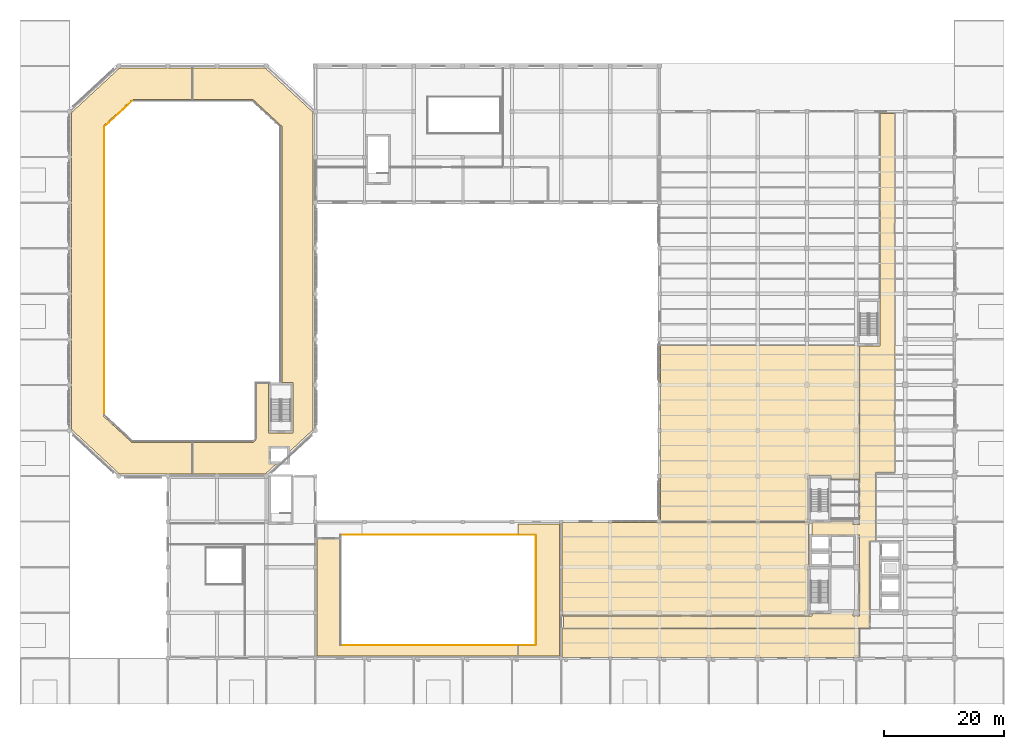
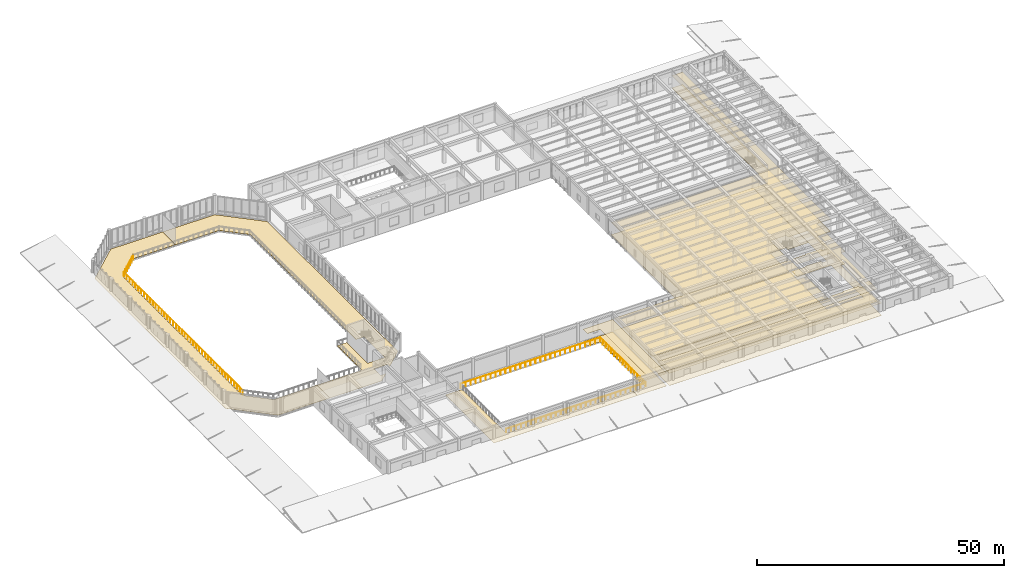
# One storey, part 52 of 57: 13 coverings, 5 railings.
"""IFC4 building model written with IfcOpenShell, lengths in metres."""

from ifc_helpers import new_model, si_unit, direction, frame, origin, origin_2d, place, context, subcontext, project, spatial, polyline, circle, outline, extrude, material, layer, layer_set, type_object, element, save


model = new_model("IFC4")

# Units and contexts
model_context = context("Model", 3, precision=1e-05, world=origin(), true_north=direction((0.0, 1.0)))
body_context = subcontext(model_context, "Body", "Model", "MODEL_VIEW")
ifc_project = project(units=[si_unit("LENGTHUNIT", "METRE"), si_unit("AREAUNIT", "SQUARE_METRE"), si_unit("VOLUMEUNIT", "CUBIC_METRE"), si_unit("PLANEANGLEUNIT", "RADIAN"), si_unit("MASSUNIT", "GRAM", prefix="KILO")], contexts=[model_context])

# Site, building, storey
site_placement = place(None, origin())
site = spatial("IfcSite", under=ifc_project, at=site_placement, CompositionType="ELEMENT")
building_placement = place(site_placement, origin())
building = spatial("IfcBuilding", under=site, at=building_placement, Name="Qandaris Square Conservatory and Botanical Centre", CompositionType="ELEMENT")
storey_placement = place(building_placement, frame((0.0, 0.0, 5.39990234375)))
storey = spatial("IfcBuildingStorey", under=building, at=storey_placement, Name="L01", CompositionType="ELEMENT", Elevation=5.39990234375)

# Covering
ifc_material_1 = material(Name="Engineered Oak Timber", Category="wood")
ifc_layer_1 = layer(ifc_material_1, 0.02490234375)
ifc_layer_set_1 = layer_set([ifc_layer_1], Name="Engineered Oak Timber")
covering_type_1 = type_object("IfcCoveringType", Name="Acoustic Timber Auditorium Flooring", PredefinedType="FLOORING", material=ifc_layer_set_1)
covering_1_placement = place(storey_placement, origin())
element("IfcCovering", 1, at=covering_1_placement, inside=storey, type_object=covering_type_1, Name="Auditorium Upper Gallery Flooring", PredefinedType="FLOORING", context=body_context, shape_type="SweptSolid", body=[
    extrude(outline(polyline([(91.0, 18.800048828125), (91.0, 17.0), (57.5, 17.0), (57.5, 36.60009765625), (61.39990234375, 36.60009765625), (61.39990234375, 18.800048828125), (91.0, 18.800048828125)])), origin(), (0.0, 0.0, 1.0), 0.025146484375),
])

# Railings
ifc_material_2 = material(Name="Tempered Low-E Glass", Category="glass")
railing_type_1 = type_object("IfcRailingType", Name="Conservatory Skywalk Glazed Balustrade 1150mm", PredefinedType="BALUSTRADE", material=ifc_material_2)
railing_1_placement = place(storey_placement, frame((22.0, 57.13232421875, 0.0)))
element("IfcRailing", 2, at=railing_1_placement, inside=storey, type_object=railing_type_1, Name="Conservatory Skywalk Balustrade 2.1", PredefinedType="BALUSTRADE", context=body_context, shape_type="SweptSolid", body=[
    extrude(circle(Radius=0.02392578125, at=origin_2d()), frame((0.0, 0.0, 1.1259765625), z_axis=(0.0, 1.0, 0.0), x_axis=(-1.0, 0.0, 0.0)), (0.0, 0.0, 1.0), 48.13525390625),
    extrude(circle(Radius=0.02099609375, at=origin_2d()), origin(), (0.0, 0.0, 1.0), 1.101806640625),
    extrude(circle(Radius=0.02099609375, at=origin_2d()), frame((0.0, 1.174072265625, 0.0)), (0.0, 0.0, 1.0), 1.101806640625),
    extrude(circle(Radius=0.02099609375, at=origin_2d()), frame((0.0, 2.34814453125, 0.0)), (0.0, 0.0, 1.0), 1.101806640625),
    extrude(circle(Radius=0.02099609375, at=origin_2d()), frame((0.0, 3.52197265625, 0.0)), (0.0, 0.0, 1.0), 1.101806640625),
    extrude(circle(Radius=0.02099609375, at=origin_2d()), frame((0.0, 4.696044921875, 0.0)), (0.0, 0.0, 1.0), 1.101806640625),
    extrude(circle(Radius=0.02099609375, at=origin_2d()), frame((0.0, 5.8701171875, 0.0)), (0.0, 0.0, 1.0), 1.101806640625),
    extrude(circle(Radius=0.02099609375, at=origin_2d()), frame((0.0, 7.044189453125, 0.0)), (0.0, 0.0, 1.0), 1.101806640625),
    extrude(circle(Radius=0.02099609375, at=origin_2d()), frame((0.0, 8.21826171875, 0.0)), (0.0, 0.0, 1.0), 1.101806640625),
    extrude(circle(Radius=0.02099609375, at=origin_2d()), frame((0.0, 9.392333984375, 0.0)), (0.0, 0.0, 1.0), 1.101806640625),
    extrude(circle(Radius=0.02099609375, at=origin_2d()), frame((0.0, 10.566162109375, 0.0)), (0.0, 0.0, 1.0), 1.101806640625),
    extrude(circle(Radius=0.02099609375, at=origin_2d()), frame((0.0, 11.740234375, 0.0)), (0.0, 0.0, 1.0), 1.101806640625),
    extrude(circle(Radius=0.02099609375, at=origin_2d()), frame((0.0, 12.914306640625, 0.0)), (0.0, 0.0, 1.0), 1.101806640625),
    extrude(circle(Radius=0.02099609375, at=origin_2d()), frame((0.0, 14.08837890625, 0.0)), (0.0, 0.0, 1.0), 1.101806640625),
    extrude(circle(Radius=0.02099609375, at=origin_2d()), frame((0.0, 15.262451171875, 0.0)), (0.0, 0.0, 1.0), 1.101806640625),
    extrude(circle(Radius=0.02099609375, at=origin_2d()), frame((0.0, 16.4365234375, 0.0)), (0.0, 0.0, 1.0), 1.101806640625),
    extrude(circle(Radius=0.02099609375, at=origin_2d()), frame((0.0, 17.6103515625, 0.0)), (0.0, 0.0, 1.0), 1.101806640625),
    extrude(circle(Radius=0.02099609375, at=origin_2d()), frame((0.0, 18.784423828125, 0.0)), (0.0, 0.0, 1.0), 1.101806640625),
    extrude(circle(Radius=0.02099609375, at=origin_2d()), frame((0.0, 19.95849609375, 0.0)), (0.0, 0.0, 1.0), 1.101806640625),
    extrude(circle(Radius=0.02099609375, at=origin_2d()), frame((0.0, 21.132568359375, 0.0)), (0.0, 0.0, 1.0), 1.101806640625),
    extrude(circle(Radius=0.02099609375, at=origin_2d()), frame((0.0, 22.306640625, 0.0)), (0.0, 0.0, 1.0), 1.101806640625),
    extrude(circle(Radius=0.02099609375, at=origin_2d()), frame((0.0, 23.480712890625, 0.0)), (0.0, 0.0, 1.0), 1.101806640625),
    extrude(circle(Radius=0.02099609375, at=origin_2d()), frame((0.0, 24.654541015625, 0.0)), (0.0, 0.0, 1.0), 1.101806640625),
    extrude(circle(Radius=0.02099609375, at=origin_2d()), frame((0.0, 25.82861328125, 0.0)), (0.0, 0.0, 1.0), 1.101806640625),
    extrude(circle(Radius=0.02099609375, at=origin_2d()), frame((0.0, 27.002685546875, 0.0)), (0.0, 0.0, 1.0), 1.101806640625),
    extrude(circle(Radius=0.02099609375, at=origin_2d()), frame((0.0, 28.1767578125, 0.0)), (0.0, 0.0, 1.0), 1.101806640625),
    extrude(circle(Radius=0.02099609375, at=origin_2d()), frame((0.0, 29.350830078125, 0.0)), (0.0, 0.0, 1.0), 1.101806640625),
    extrude(circle(Radius=0.02099609375, at=origin_2d()), frame((0.0, 30.52490234375, 0.0)), (0.0, 0.0, 1.0), 1.101806640625),
    extrude(circle(Radius=0.02099609375, at=origin_2d()), frame((0.0, 31.69873046875, 0.0)), (0.0, 0.0, 1.0), 1.101806640625),
    extrude(circle(Radius=0.02099609375, at=origin_2d()), frame((0.0, 32.872802734375, 0.0)), (0.0, 0.0, 1.0), 1.101806640625),
    extrude(circle(Radius=0.02099609375, at=origin_2d()), frame((0.0, 34.046875, 0.0)), (0.0, 0.0, 1.0), 1.101806640625),
    extrude(circle(Radius=0.02099609375, at=origin_2d()), frame((0.0, 35.220947265625, 0.0)), (0.0, 0.0, 1.0), 1.101806640625),
    extrude(circle(Radius=0.02099609375, at=origin_2d()), frame((0.0, 36.39501953125, 0.0)), (0.0, 0.0, 1.0), 1.101806640625),
    extrude(circle(Radius=0.02099609375, at=origin_2d()), frame((0.0, 37.569091796875, 0.0)), (0.0, 0.0, 1.0), 1.101806640625),
    extrude(circle(Radius=0.02099609375, at=origin_2d()), frame((0.0, 38.742919921875, 0.0)), (0.0, 0.0, 1.0), 1.101806640625),
    extrude(circle(Radius=0.02099609375, at=origin_2d()), frame((0.0, 39.9169921875, 0.0)), (0.0, 0.0, 1.0), 1.101806640625),
    extrude(circle(Radius=0.02099609375, at=origin_2d()), frame((0.0, 41.091064453125, 0.0)), (0.0, 0.0, 1.0), 1.101806640625),
    extrude(circle(Radius=0.02099609375, at=origin_2d()), frame((0.0, 42.26513671875, 0.0)), (0.0, 0.0, 1.0), 1.101806640625),
    extrude(circle(Radius=0.02099609375, at=origin_2d()), frame((0.0, 43.439208984375, 0.0)), (0.0, 0.0, 1.0), 1.101806640625),
    extrude(circle(Radius=0.02099609375, at=origin_2d()), frame((0.0, 44.61328125, 0.0)), (0.0, 0.0, 1.0), 1.101806640625),
    extrude(circle(Radius=0.02099609375, at=origin_2d()), frame((0.0, 45.787109375, 0.0)), (0.0, 0.0, 1.0), 1.101806640625),
    extrude(circle(Radius=0.02099609375, at=origin_2d()), frame((0.0, 46.961181640625, 0.0)), (0.0, 0.0, 1.0), 1.101806640625),
    extrude(circle(Radius=0.02099609375, at=origin_2d()), frame((0.0, 48.13525390625, 0.0)), (0.0, 0.0, 1.0), 1.101806640625),
])
railing_2_placement = place(storey_placement, frame((22.0, 105.267578125, 0.0)))
element("IfcRailing", 3, at=railing_2_placement, inside=storey, type_object=railing_type_1, Name="Conservatory Skywalk Balustrade 3.1", PredefinedType="BALUSTRADE", context=body_context, shape_type="SweptSolid", body=[
    extrude(circle(Radius=0.02392578125, at=origin_2d()), frame((0.0, 0.0, 1.1259765625), z_axis=(0.73343029662, 0.67976466516, 0.0), x_axis=(-0.67976466516, 0.73343029662, 0.0)), (0.0, 0.0, 1.0), 6.37353515625),
    extrude(circle(Radius=0.02099609375, at=origin_2d()), origin(), (0.0, 0.0, 1.0), 1.101806640625),
    extrude(circle(Radius=0.02099609375, at=origin_2d()), frame((0.779052734375, 0.72216796875, 0.0)), (0.0, 0.0, 1.0), 1.101806640625),
    extrude(circle(Radius=0.02099609375, at=origin_2d()), frame((1.55810546875, 1.444091796875, 0.0)), (0.0, 0.0, 1.0), 1.101806640625),
    extrude(circle(Radius=0.02099609375, at=origin_2d()), frame((2.33740234375, 2.166259765625, 0.0)), (0.0, 0.0, 1.0), 1.101806640625),
    extrude(circle(Radius=0.02099609375, at=origin_2d()), frame((3.116455078125, 2.888427734375, 0.0)), (0.0, 0.0, 1.0), 1.101806640625),
    extrude(circle(Radius=0.02099609375, at=origin_2d()), frame((3.8955078125, 3.6103515625, 0.0)), (0.0, 0.0, 1.0), 1.101806640625),
    extrude(circle(Radius=0.02099609375, at=origin_2d()), frame((4.674560546875, 4.33251953125, 0.0)), (0.0, 0.0, 1.0), 1.101806640625),
])

# Coverings
ifc_material_3 = material(Name="Honed Qatari Limestone", Category="masonry")
ifc_layer_2 = layer(ifc_material_3, 0.030029296875)
ifc_layer_set_2 = layer_set([ifc_layer_2], Name="Honed Qatari Limestone")
covering_type_2 = type_object("IfcCoveringType", Name="Honed Qatari Limestone Concourse Paving", PredefinedType="FLOORING", material=ifc_layer_set_2)
covering_2_placement = place(storey_placement, origin())
element("IfcCovering", 4, at=covering_2_placement, inside=storey, type_object=covering_type_2, Name="Main Circulation Corridor L01 Flooring", PredefinedType="FLOORING", context=body_context, shape_type="SweptSolid", body=[
    extrude(outline(polyline([(140.0, 24.10009765625), (143.199951171875, 24.10009765625), (143.199951171875, 24.280029296875), (146.85009765625, 24.280029296875), (146.85009765625, 23.699951171875), (147.949951171875, 23.699951171875), (147.949951171875, 24.75), (147.949951171875, 31.75), (147.949951171875, 36.199951171875), (147.949951171875, 37.199951171875), (140.0, 37.199951171875), (140.0, 38.89990234375), (140.0, 39.300048828125), (143.199951171875, 39.300048828125), (143.199951171875, 39.47998046875), (146.85009765625, 39.47998046875), (146.85009765625, 38.89990234375), (147.949951171875, 38.89990234375), (147.949951171875, 39.89990234375), (147.949951171875, 42.1201171875), (147.949951171875, 44.340087890625), (147.949951171875, 46.419921875), (147.949951171875, 66.5), (147.949951171875, 68.699951171875), (151.39990234375, 68.699951171875), (151.39990234375, 76.5), (151.35009765625, 76.5), (151.35009765625, 107.5), (153.85009765625, 107.5), (153.85009765625, 68.85009765625), (153.85009765625, 66.5), (153.85009765625, 47.60009765625), (150.64990234375, 47.60009765625), (150.64990234375, 36.199951171875), (149.699951171875, 36.199951171875), (149.699951171875, 36.050048828125), (149.699951171875, 24.75), (149.699951171875, 23.699951171875), (149.699951171875, 21.550048828125), (147.949951171875, 21.550048828125), (98.60009765625, 21.550048828125), (98.60009765625, 23.699951171875), (140.0, 23.699951171875), (140.0, 24.10009765625)])), origin(), (0.0, 0.0, 1.0), 0.030029296875),
])
covering_3_placement = place(storey_placement, origin())
element("IfcCovering", 5, at=covering_3_placement, inside=storey, type_object=covering_type_2, Name="Visitor Centre Interactive Ecology Gallery Flooring", PredefinedType="FLOORING", context=body_context, shape_type="SweptSolid", body=[
    extrude(outline(polyline([(98.60009765625, 21.550048828125), (147.949951171875, 21.550048828125), (147.949951171875, 16.780029296875), (98.3798828125, 16.780029296875), (98.3798828125, 21.550048828125), (98.60009765625, 21.550048828125)])), origin(), (0.0, 0.0, 1.0), 0.030029296875),
])
covering_4_placement = place(storey_placement, origin())
element("IfcCovering", 6, at=covering_4_placement, inside=storey, type_object=covering_type_2, Name="Botanical Illustration Studio Flooring", PredefinedType="FLOORING", context=body_context, shape_type="SweptSolid", body=[
    extrude(outline(polyline([(114.635009765625, 39.223388671875), (114.65234375, 39.227783203125), (114.6689453125, 39.233642578125), (114.684814453125, 39.2412109375), (114.699462890625, 39.25), (139.5, 39.25), (139.5, 31.89990234375), (139.39990234375, 31.89990234375), (139.39990234375, 24.10009765625), (139.5, 24.10009765625), (139.5, 23.699951171875), (98.60009765625, 23.699951171875), (98.3798828125, 23.699951171875), (98.3798828125, 39.219970703125), (114.60009765625, 39.219970703125), (114.61767578125, 39.220947265625), (114.635009765625, 39.223388671875)])), origin(), (0.0, 0.0, 1.0), 0.030029296875),
])
covering_5_placement = place(storey_placement, origin())
element("IfcCovering", 7, at=covering_5_placement, inside=storey, type_object=covering_type_2, Name="Conservatory Canopy Skywalk Gallery East Flooring", PredefinedType="FLOORING", context=body_context, shape_type="SweptSolid", body=[
    extrude(outline(polyline([(36.699951171875, 52.60009765625), (46.803955078125, 52.60009765625), (47.199951171875, 52.967041015625), (47.199951171875, 62.60009765625), (49.39990234375, 62.60009765625), (49.39990234375, 54.199951171875), (53.5, 54.199951171875), (53.5, 62.60009765625), (51.60009765625, 62.60009765625), (51.60009765625, 105.35498046875), (46.803955078125, 109.800048828125), (36.699951171875, 109.800048828125), (36.699951171875, 115.050048828125), (48.86279296875, 115.050048828125), (56.85009765625, 107.647216796875), (56.85009765625, 62.60009765625), (56.85009765625, 54.752685546875), (52.739990234375, 50.943603515625), (52.739990234375, 51.840087890625), (49.56005859375, 51.840087890625), (49.56005859375, 49.159912109375), (50.815673828125, 49.159912109375), (48.86279296875, 47.35009765625), (47.199951171875, 47.35009765625), (36.699951171875, 47.35009765625), (36.699951171875, 52.60009765625)])), origin(), (0.0, 0.0, 1.0), 0.030029296875),
])
covering_6_placement = place(storey_placement, origin())
element("IfcCovering", 8, at=covering_6_placement, inside=storey, type_object=covering_type_2, Name="Conservatory Canopy Skywalk Gallery West Flooring", PredefinedType="FLOORING", context=body_context, shape_type="SweptSolid", body=[
    extrude(outline(polyline([(16.550048828125, 107.647216796875), (24.537353515625, 115.050048828125), (36.699951171875, 115.050048828125), (36.699951171875, 109.800048828125), (26.595947265625, 109.800048828125), (21.800048828125, 105.35498046875), (21.800048828125, 57.045166015625), (26.595947265625, 52.60009765625), (36.699951171875, 52.60009765625), (36.699951171875, 47.35009765625), (24.537353515625, 47.35009765625), (16.550048828125, 54.752685546875), (16.550048828125, 107.647216796875)])), origin(), (0.0, 0.0, 1.0), 0.030029296875),
])
ifc_material_4 = material(Name="Gypsum Plasterboard", Category="gypsum")
ifc_layer_3 = layer(ifc_material_4, 0.02490234375)
ifc_layer_set_3 = layer_set([ifc_layer_3], Name="Gypsum Plasterboard")
covering_type_3 = type_object("IfcCoveringType", Name="Perforated Acoustic Lab Ceiling Tile", PredefinedType="CEILING", material=ifc_layer_set_3)
covering_7_placement = place(storey_placement, frame((0.0, 0.0, 3.050048828125)))
element("IfcCovering", 9, at=covering_7_placement, inside=storey, type_object=covering_type_3, Name="Main Circulation Corridor L01 Ceiling", PredefinedType="CEILING", context=body_context, shape_type="SweptSolid", body=[
    extrude(outline(polyline([(140.0, 24.10009765625), (143.199951171875, 24.10009765625), (143.199951171875, 24.280029296875), (146.85009765625, 24.280029296875), (146.85009765625, 23.699951171875), (147.949951171875, 23.699951171875), (147.949951171875, 24.75), (147.949951171875, 31.75), (147.949951171875, 36.199951171875), (147.949951171875, 37.199951171875), (140.0, 37.199951171875), (140.0, 38.89990234375), (140.0, 39.300048828125), (143.199951171875, 39.300048828125), (143.199951171875, 39.47998046875), (146.85009765625, 39.47998046875), (146.85009765625, 38.89990234375), (147.949951171875, 38.89990234375), (147.949951171875, 39.89990234375), (147.949951171875, 42.1201171875), (147.949951171875, 44.340087890625), (147.949951171875, 46.419921875), (147.949951171875, 66.5), (147.949951171875, 68.699951171875), (151.39990234375, 68.699951171875), (151.39990234375, 76.5), (151.35009765625, 76.5), (151.35009765625, 107.5), (153.85009765625, 107.5), (153.85009765625, 68.85009765625), (153.85009765625, 66.5), (153.85009765625, 47.60009765625), (150.64990234375, 47.60009765625), (150.64990234375, 36.199951171875), (149.699951171875, 36.199951171875), (149.699951171875, 36.050048828125), (149.699951171875, 24.75), (149.699951171875, 23.699951171875), (149.699951171875, 21.550048828125), (147.949951171875, 21.550048828125), (98.60009765625, 21.550048828125), (98.60009765625, 23.699951171875), (140.0, 23.699951171875), (140.0, 24.10009765625)])), origin(), (0.0, 0.0, 1.0), 0.025146484375),
])
covering_8_placement = place(storey_placement, frame((0.0, 0.0, 3.050048828125)))
element("IfcCovering", 10, at=covering_8_placement, inside=storey, type_object=covering_type_3, Name="Herbarium Specimen Mounting Studio Ceiling", PredefinedType="CEILING", context=body_context, shape_type="SweptSolid", body=[
    extrude(outline(polyline([(147.949951171875, 66.5), (147.949951171875, 46.419921875), (143.199951171875, 46.419921875), (143.199951171875, 47.10009765625), (139.39990234375, 47.10009765625), (139.39990234375, 39.39990234375), (114.780029296875, 39.39990234375), (114.780029296875, 68.800048828125), (147.60009765625, 68.800048828125), (147.60009765625, 68.699951171875), (147.949951171875, 68.699951171875), (147.949951171875, 66.5)])), origin(), (0.0, 0.0, 1.0), 0.025146484375),
])
covering_9_placement = place(storey_placement, frame((0.0, 0.0, 3.050048828125)))
element("IfcCovering", 11, at=covering_9_placement, inside=storey, type_object=covering_type_3, Name="Projection and Simultaneous Interpretation Suite Ceiling", PredefinedType="CEILING", context=body_context, shape_type="SweptSolid", body=[
    extrude(outline(polyline([(91.0, 17.0), (91.0, 18.800048828125), (94.0, 18.800048828125), (94.0, 37.199951171875), (91.0, 37.199951171875), (91.0, 39.0), (97.89990234375, 39.0), (97.89990234375, 17.0), (91.0, 17.0)])), origin(), (0.0, 0.0, 1.0), 0.025146484375),
])
ifc_material_5 = material(Name="Epoxy Resin Screed", Category="finish")
ifc_layer_4 = layer(ifc_material_5, 0.014892578125)
ifc_layer_set_4 = layer_set([ifc_layer_4], Name="Epoxy Resin Screed")
covering_type_4 = type_object("IfcCoveringType", Name="Seamless Epoxy Laboratory Flooring", PredefinedType="FLOORING", material=ifc_layer_set_4)
covering_10_placement = place(storey_placement, origin())
element("IfcCovering", 12, at=covering_10_placement, inside=storey, type_object=covering_type_4, Name="Herbarium Specimen Mounting Studio Flooring", PredefinedType="FLOORING", context=body_context, shape_type="SweptSolid", body=[
    extrude(outline(polyline([(147.949951171875, 66.5), (147.949951171875, 46.419921875), (143.199951171875, 46.419921875), (143.199951171875, 47.10009765625), (139.39990234375, 47.10009765625), (139.39990234375, 39.39990234375), (114.780029296875, 39.39990234375), (114.780029296875, 68.800048828125), (147.60009765625, 68.800048828125), (147.60009765625, 68.699951171875), (147.949951171875, 68.699951171875), (147.949951171875, 66.5)])), origin(), (0.0, 0.0, 1.0), 0.01513671875),
])
covering_11_placement = place(storey_placement, origin())
element("IfcCovering", 13, at=covering_11_placement, inside=storey, type_object=covering_type_4, Name="Projection and Simultaneous Interpretation Suite Flooring", PredefinedType="FLOORING", context=body_context, shape_type="SweptSolid", body=[
    extrude(outline(polyline([(91.0, 17.0), (91.0, 18.800048828125), (94.0, 18.800048828125), (94.0, 37.199951171875), (91.0, 37.199951171875), (91.0, 39.0), (97.89990234375, 39.0), (97.89990234375, 17.0), (91.0, 17.0)])), origin(), (0.0, 0.0, 1.0), 0.01513671875),
])
ifc_layer_5 = layer(ifc_material_1, 0.0400390625)
ifc_layer_set_5 = layer_set([ifc_layer_5], Name="Engineered Oak Timber")
covering_type_5 = type_object("IfcCoveringType", Name="Slatted Oak Acoustic Gallery Ceiling", PredefinedType="CEILING", material=ifc_layer_set_5)
covering_12_placement = place(storey_placement, frame((0.0, 0.0, 3.050048828125)))
element("IfcCovering", 14, at=covering_12_placement, inside=storey, type_object=covering_type_5, Name="Visitor Centre Interactive Ecology Gallery Ceiling", PredefinedType="CEILING", context=body_context, shape_type="SweptSolid", body=[
    extrude(outline(polyline([(98.60009765625, 21.550048828125), (147.949951171875, 21.550048828125), (147.949951171875, 16.780029296875), (98.3798828125, 16.780029296875), (98.3798828125, 21.550048828125), (98.60009765625, 21.550048828125)])), origin(), (0.0, 0.0, 1.0), 0.0400390625),
])
covering_13_placement = place(storey_placement, frame((0.0, 0.0, 3.050048828125)))
element("IfcCovering", 15, at=covering_13_placement, inside=storey, type_object=covering_type_5, Name="Botanical Illustration Studio Ceiling", PredefinedType="CEILING", context=body_context, shape_type="SweptSolid", body=[
    extrude(outline(polyline([(114.635009765625, 39.223388671875), (114.65234375, 39.227783203125), (114.6689453125, 39.233642578125), (114.684814453125, 39.2412109375), (114.699462890625, 39.25), (139.5, 39.25), (139.5, 31.89990234375), (139.39990234375, 31.89990234375), (139.39990234375, 24.10009765625), (139.5, 24.10009765625), (139.5, 23.699951171875), (98.60009765625, 23.699951171875), (98.3798828125, 23.699951171875), (98.3798828125, 39.219970703125), (114.60009765625, 39.219970703125), (114.61767578125, 39.220947265625), (114.635009765625, 39.223388671875)])), origin(), (0.0, 0.0, 1.0), 0.0400390625),
])

# Railings
ifc_material_6 = material(Name="Stainless Steel", Category="steel")
railing_type_2 = type_object("IfcRailingType", Name="Stairwell & Atrium Guardrail 1120mm", PredefinedType="GUARDRAIL", material=ifc_material_6)
railing_3_placement = place(storey_placement, frame((61.39990234375, 18.800048828125, 0.0)))
element("IfcRailing", 16, at=railing_3_placement, inside=storey, type_object=railing_type_2, Name="Auditorium Upper Gallery Guardrail 1", PredefinedType="GUARDRAIL", context=body_context, shape_type="SweptSolid", body=[
    extrude(circle(Radius=0.02392578125, at=origin_2d()), frame((0.0, 0.0, 1.09619140625), z_axis=(1.0, 0.0, 0.0), x_axis=(0.0, 1.0, 0.0)), (0.0, 0.0, 1.0), 32.60009765625),
    extrude(circle(Radius=0.02099609375, at=origin_2d()), origin(), (0.0, 0.0, 1.0), 1.072021484375),
    extrude(circle(Radius=0.02099609375, at=origin_2d()), frame((1.164306640625, 0.0, 0.0)), (0.0, 0.0, 1.0), 1.072021484375),
    extrude(circle(Radius=0.02099609375, at=origin_2d()), frame((2.32861328125, 0.0, 0.0)), (0.0, 0.0, 1.0), 1.072021484375),
    extrude(circle(Radius=0.02099609375, at=origin_2d()), frame((3.492919921875, 0.0, 0.0)), (0.0, 0.0, 1.0), 1.072021484375),
    extrude(circle(Radius=0.02099609375, at=origin_2d()), frame((4.6572265625, 0.0, 0.0)), (0.0, 0.0, 1.0), 1.072021484375),
    extrude(circle(Radius=0.02099609375, at=origin_2d()), frame((5.821533203125, 0.0, 0.0)), (0.0, 0.0, 1.0), 1.072021484375),
    extrude(circle(Radius=0.02099609375, at=origin_2d()), frame((6.98583984375, 0.0, 0.0)), (0.0, 0.0, 1.0), 1.072021484375),
    extrude(circle(Radius=0.02099609375, at=origin_2d()), frame((8.14990234375, 0.0, 0.0)), (0.0, 0.0, 1.0), 1.072021484375),
    extrude(circle(Radius=0.02099609375, at=origin_2d()), frame((9.314208984375, 0.0, 0.0)), (0.0, 0.0, 1.0), 1.072021484375),
    extrude(circle(Radius=0.02099609375, at=origin_2d()), frame((10.478515625, 0.0, 0.0)), (0.0, 0.0, 1.0), 1.072021484375),
    extrude(circle(Radius=0.02099609375, at=origin_2d()), frame((11.642822265625, 0.0, 0.0)), (0.0, 0.0, 1.0), 1.072021484375),
    extrude(circle(Radius=0.02099609375, at=origin_2d()), frame((12.80712890625, 0.0, 0.0)), (0.0, 0.0, 1.0), 1.072021484375),
    extrude(circle(Radius=0.02099609375, at=origin_2d()), frame((13.971435546875, 0.0, 0.0)), (0.0, 0.0, 1.0), 1.072021484375),
    extrude(circle(Radius=0.02099609375, at=origin_2d()), frame((15.1357421875, 0.0, 0.0)), (0.0, 0.0, 1.0), 1.072021484375),
    extrude(circle(Radius=0.02099609375, at=origin_2d()), frame((16.300048828125, 0.0, 0.0)), (0.0, 0.0, 1.0), 1.072021484375),
    extrude(circle(Radius=0.02099609375, at=origin_2d()), frame((17.46435546875, 0.0, 0.0)), (0.0, 0.0, 1.0), 1.072021484375),
    extrude(circle(Radius=0.02099609375, at=origin_2d()), frame((18.628662109375, 0.0, 0.0)), (0.0, 0.0, 1.0), 1.072021484375),
    extrude(circle(Radius=0.02099609375, at=origin_2d()), frame((19.79296875, 0.0, 0.0)), (0.0, 0.0, 1.0), 1.072021484375),
    extrude(circle(Radius=0.02099609375, at=origin_2d()), frame((20.957275390625, 0.0, 0.0)), (0.0, 0.0, 1.0), 1.072021484375),
    extrude(circle(Radius=0.02099609375, at=origin_2d()), frame((22.12158203125, 0.0, 0.0)), (0.0, 0.0, 1.0), 1.072021484375),
    extrude(circle(Radius=0.02099609375, at=origin_2d()), frame((23.285888671875, 0.0, 0.0)), (0.0, 0.0, 1.0), 1.072021484375),
    extrude(circle(Radius=0.02099609375, at=origin_2d()), frame((24.4501953125, 0.0, 0.0)), (0.0, 0.0, 1.0), 1.072021484375),
    extrude(circle(Radius=0.02099609375, at=origin_2d()), frame((25.6142578125, 0.0, 0.0)), (0.0, 0.0, 1.0), 1.072021484375),
    extrude(circle(Radius=0.02099609375, at=origin_2d()), frame((26.778564453125, 0.0, 0.0)), (0.0, 0.0, 1.0), 1.072021484375),
    extrude(circle(Radius=0.02099609375, at=origin_2d()), frame((27.94287109375, 0.0, 0.0)), (0.0, 0.0, 1.0), 1.072021484375),
    extrude(circle(Radius=0.02099609375, at=origin_2d()), frame((29.107177734375, 0.0, 0.0)), (0.0, 0.0, 1.0), 1.072021484375),
    extrude(circle(Radius=0.02099609375, at=origin_2d()), frame((30.271484375, 0.0, 0.0)), (0.0, 0.0, 1.0), 1.072021484375),
    extrude(circle(Radius=0.02099609375, at=origin_2d()), frame((31.435791015625, 0.0, 0.0)), (0.0, 0.0, 1.0), 1.072021484375),
    extrude(circle(Radius=0.02099609375, at=origin_2d()), frame((32.60009765625, 0.0, 0.0)), (0.0, 0.0, 1.0), 1.072021484375),
])
railing_4_placement = place(storey_placement, frame((94.0, 18.800048828125, 0.0)))
element("IfcRailing", 17, at=railing_4_placement, inside=storey, type_object=railing_type_2, Name="Auditorium Upper Gallery Guardrail 2", PredefinedType="GUARDRAIL", context=body_context, shape_type="SweptSolid", body=[
    extrude(circle(Radius=0.02392578125, at=origin_2d()), frame((0.0, 0.0, 1.09619140625), z_axis=(0.0, 1.0, 0.0), x_axis=(-1.0, 0.0, 0.0)), (0.0, 0.0, 1.0), 18.39990234375),
    extrude(circle(Radius=0.02099609375, at=origin_2d()), origin(), (0.0, 0.0, 1.0), 1.072021484375),
    extrude(circle(Radius=0.02099609375, at=origin_2d()), frame((0.0, 1.14990234375, 0.0)), (0.0, 0.0, 1.0), 1.072021484375),
    extrude(circle(Radius=0.02099609375, at=origin_2d()), frame((0.0, 2.300048828125, 0.0)), (0.0, 0.0, 1.0), 1.072021484375),
    extrude(circle(Radius=0.02099609375, at=origin_2d()), frame((0.0, 3.449951171875, 0.0)), (0.0, 0.0, 1.0), 1.072021484375),
    extrude(circle(Radius=0.02099609375, at=origin_2d()), frame((0.0, 4.60009765625, 0.0)), (0.0, 0.0, 1.0), 1.072021484375),
    extrude(circle(Radius=0.02099609375, at=origin_2d()), frame((0.0, 5.75, 0.0)), (0.0, 0.0, 1.0), 1.072021484375),
    extrude(circle(Radius=0.02099609375, at=origin_2d()), frame((0.0, 6.89990234375, 0.0)), (0.0, 0.0, 1.0), 1.072021484375),
    extrude(circle(Radius=0.02099609375, at=origin_2d()), frame((0.0, 8.050048828125, 0.0)), (0.0, 0.0, 1.0), 1.072021484375),
    extrude(circle(Radius=0.02099609375, at=origin_2d()), frame((0.0, 9.199951171875, 0.0)), (0.0, 0.0, 1.0), 1.072021484375),
    extrude(circle(Radius=0.02099609375, at=origin_2d()), frame((0.0, 10.349853515625, 0.0)), (0.0, 0.0, 1.0), 1.072021484375),
    extrude(circle(Radius=0.02099609375, at=origin_2d()), frame((0.0, 11.5, 0.0)), (0.0, 0.0, 1.0), 1.072021484375),
    extrude(circle(Radius=0.02099609375, at=origin_2d()), frame((0.0, 12.64990234375, 0.0)), (0.0, 0.0, 1.0), 1.072021484375),
    extrude(circle(Radius=0.02099609375, at=origin_2d()), frame((0.0, 13.7998046875, 0.0)), (0.0, 0.0, 1.0), 1.072021484375),
    extrude(circle(Radius=0.02099609375, at=origin_2d()), frame((0.0, 14.949951171875, 0.0)), (0.0, 0.0, 1.0), 1.072021484375),
    extrude(circle(Radius=0.02099609375, at=origin_2d()), frame((0.0, 16.099853515625, 0.0)), (0.0, 0.0, 1.0), 1.072021484375),
    extrude(circle(Radius=0.02099609375, at=origin_2d()), frame((0.0, 17.25, 0.0)), (0.0, 0.0, 1.0), 1.072021484375),
    extrude(circle(Radius=0.02099609375, at=origin_2d()), frame((0.0, 18.39990234375, 0.0)), (0.0, 0.0, 1.0), 1.072021484375),
])
railing_5_placement = place(storey_placement, frame((94.0, 37.199951171875, 0.0)))
element("IfcRailing", 18, at=railing_5_placement, inside=storey, type_object=railing_type_2, Name="Auditorium Upper Gallery Guardrail 3", PredefinedType="GUARDRAIL", context=body_context, shape_type="SweptSolid", body=[
    extrude(circle(Radius=0.02392578125, at=origin_2d()), frame((0.0, 0.0, 1.09619140625), z_axis=(-1.0, 0.0, 0.0), x_axis=(0.0, -1.0, 0.0)), (0.0, 0.0, 1.0), 32.60009765625),
    extrude(circle(Radius=0.02099609375, at=origin_2d()), origin(), (0.0, 0.0, 1.0), 1.072021484375),
    extrude(circle(Radius=0.02099609375, at=origin_2d()), frame((-1.164306640625, 0.0, 0.0)), (0.0, 0.0, 1.0), 1.072021484375),
    extrude(circle(Radius=0.02099609375, at=origin_2d()), frame((-2.32861328125, 0.0, 0.0)), (0.0, 0.0, 1.0), 1.072021484375),
    extrude(circle(Radius=0.02099609375, at=origin_2d()), frame((-3.492919921875, 0.0, 0.0)), (0.0, 0.0, 1.0), 1.072021484375),
    extrude(circle(Radius=0.02099609375, at=origin_2d()), frame((-4.6572265625, 0.0, 0.0)), (0.0, 0.0, 1.0), 1.072021484375),
    extrude(circle(Radius=0.02099609375, at=origin_2d()), frame((-5.821533203125, 0.0, 0.0)), (0.0, 0.0, 1.0), 1.072021484375),
    extrude(circle(Radius=0.02099609375, at=origin_2d()), frame((-6.98583984375, 0.0, 0.0)), (0.0, 0.0, 1.0), 1.072021484375),
    extrude(circle(Radius=0.02099609375, at=origin_2d()), frame((-8.14990234375, 0.0, 0.0)), (0.0, 0.0, 1.0), 1.072021484375),
    extrude(circle(Radius=0.02099609375, at=origin_2d()), frame((-9.314208984375, 0.0, 0.0)), (0.0, 0.0, 1.0), 1.072021484375),
    extrude(circle(Radius=0.02099609375, at=origin_2d()), frame((-10.478515625, 0.0, 0.0)), (0.0, 0.0, 1.0), 1.072021484375),
    extrude(circle(Radius=0.02099609375, at=origin_2d()), frame((-11.642822265625, 0.0, 0.0)), (0.0, 0.0, 1.0), 1.072021484375),
    extrude(circle(Radius=0.02099609375, at=origin_2d()), frame((-12.80712890625, 0.0, 0.0)), (0.0, 0.0, 1.0), 1.072021484375),
    extrude(circle(Radius=0.02099609375, at=origin_2d()), frame((-13.971435546875, 0.0, 0.0)), (0.0, 0.0, 1.0), 1.072021484375),
    extrude(circle(Radius=0.02099609375, at=origin_2d()), frame((-15.1357421875, 0.0, 0.0)), (0.0, 0.0, 1.0), 1.072021484375),
    extrude(circle(Radius=0.02099609375, at=origin_2d()), frame((-16.300048828125, 0.0, 0.0)), (0.0, 0.0, 1.0), 1.072021484375),
    extrude(circle(Radius=0.02099609375, at=origin_2d()), frame((-17.46435546875, 0.0, 0.0)), (0.0, 0.0, 1.0), 1.072021484375),
    extrude(circle(Radius=0.02099609375, at=origin_2d()), frame((-18.628662109375, 0.0, 0.0)), (0.0, 0.0, 1.0), 1.072021484375),
    extrude(circle(Radius=0.02099609375, at=origin_2d()), frame((-19.79296875, 0.0, 0.0)), (0.0, 0.0, 1.0), 1.072021484375),
    extrude(circle(Radius=0.02099609375, at=origin_2d()), frame((-20.957275390625, 0.0, 0.0)), (0.0, 0.0, 1.0), 1.072021484375),
    extrude(circle(Radius=0.02099609375, at=origin_2d()), frame((-22.12158203125, 0.0, 0.0)), (0.0, 0.0, 1.0), 1.072021484375),
    extrude(circle(Radius=0.02099609375, at=origin_2d()), frame((-23.285888671875, 0.0, 0.0)), (0.0, 0.0, 1.0), 1.072021484375),
    extrude(circle(Radius=0.02099609375, at=origin_2d()), frame((-24.4501953125, 0.0, 0.0)), (0.0, 0.0, 1.0), 1.072021484375),
    extrude(circle(Radius=0.02099609375, at=origin_2d()), frame((-25.6142578125, 0.0, 0.0)), (0.0, 0.0, 1.0), 1.072021484375),
    extrude(circle(Radius=0.02099609375, at=origin_2d()), frame((-26.778564453125, 0.0, 0.0)), (0.0, 0.0, 1.0), 1.072021484375),
    extrude(circle(Radius=0.02099609375, at=origin_2d()), frame((-27.94287109375, 0.0, 0.0)), (0.0, 0.0, 1.0), 1.072021484375),
    extrude(circle(Radius=0.02099609375, at=origin_2d()), frame((-29.107177734375, 0.0, 0.0)), (0.0, 0.0, 1.0), 1.072021484375),
    extrude(circle(Radius=0.02099609375, at=origin_2d()), frame((-30.271484375, 0.0, 0.0)), (0.0, 0.0, 1.0), 1.072021484375),
    extrude(circle(Radius=0.02099609375, at=origin_2d()), frame((-31.435791015625, 0.0, 0.0)), (0.0, 0.0, 1.0), 1.072021484375),
    extrude(circle(Radius=0.02099609375, at=origin_2d()), frame((-32.60009765625, 0.0, 0.0)), (0.0, 0.0, 1.0), 1.072021484375),
])

save(model, "model.ifc")
